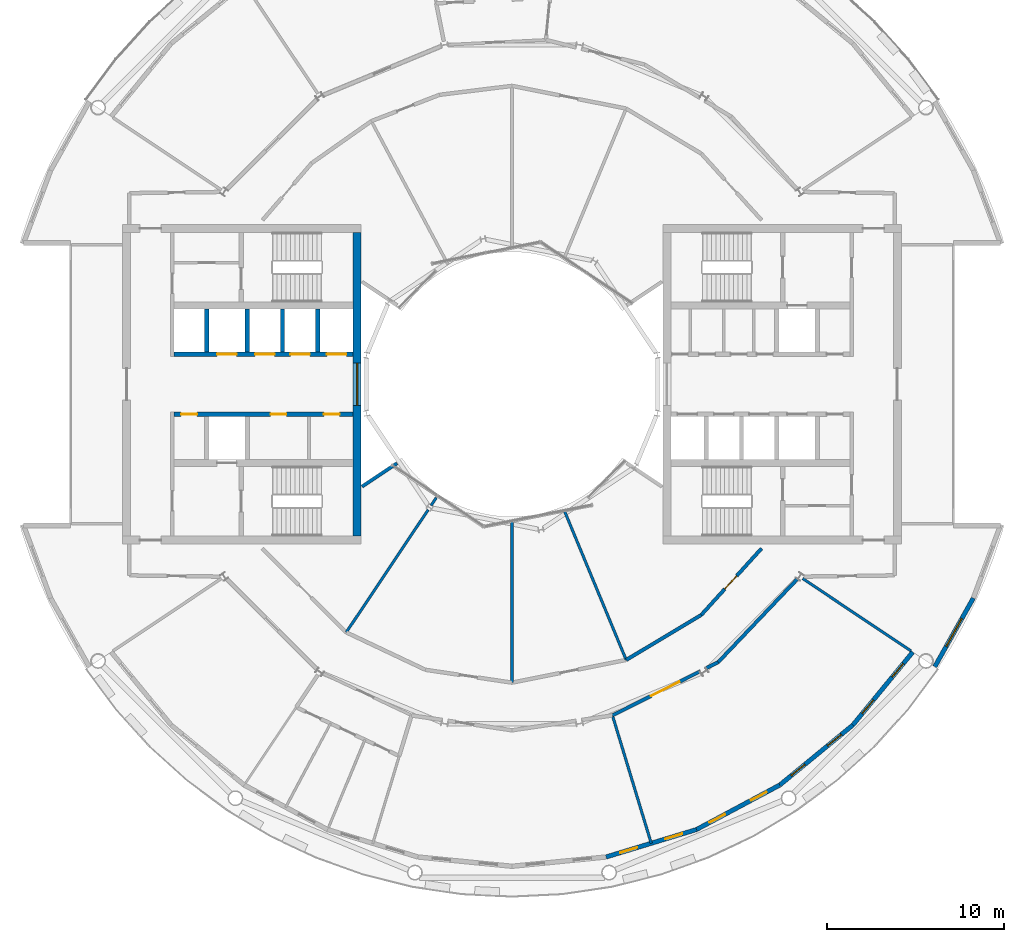
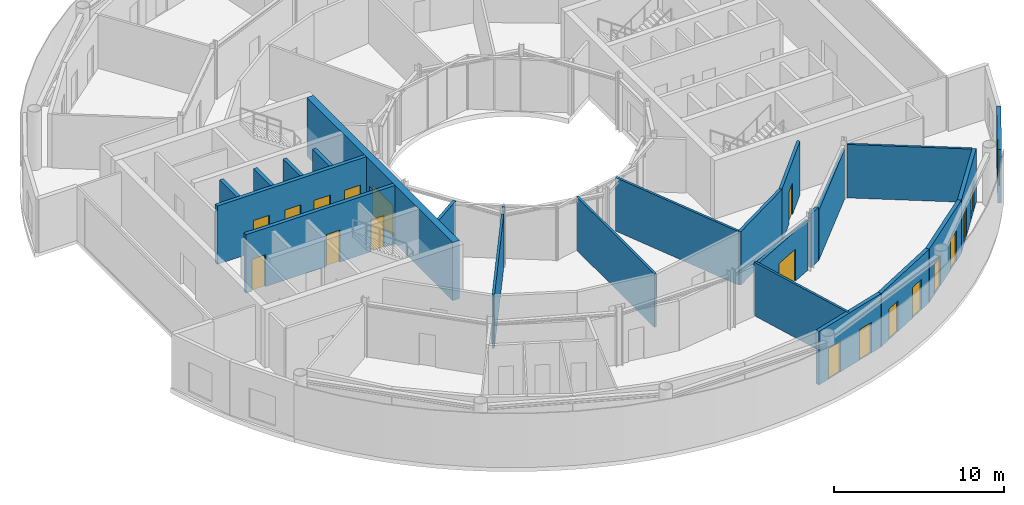
# One storey, part 15 of 22: 24 walls, 17 doors, 2 windows, 19 openings.
"""IFC4 building model written with IfcOpenShell, lengths in metres."""

from ifc_helpers import new_model, si_unit, direction, frame, frame_2d, origin, place, context, subcontext, project, spatial, rectangle, extrude, material, layer, layer_set, type_object, element, fill, save


model = new_model("IFC4")

# Units and contexts
model_context = context("Model", 3, precision=1e-05, world=origin(), true_north=direction((0.0, 1.0)))
body_context = subcontext(model_context, "Body", "Model", "MODEL_VIEW")
ifc_project = project(units=[si_unit("LENGTHUNIT", "METRE"), si_unit("AREAUNIT", "SQUARE_METRE"), si_unit("VOLUMEUNIT", "CUBIC_METRE"), si_unit("PLANEANGLEUNIT", "RADIAN"), si_unit("MASSUNIT", "GRAM", prefix="KILO")], contexts=[model_context])

# Site, building, storey
site_placement = place(None, origin())
site = spatial("IfcSite", under=ifc_project, at=site_placement, CompositionType="ELEMENT")
building_placement = place(site_placement, origin())
building = spatial("IfcBuilding", under=site, at=building_placement, Name="Maasbend Ring Residences", CompositionType="ELEMENT")
storey_placement = place(building_placement, frame((0.0, 0.0, 208.5)))
storey = spatial("IfcBuildingStorey", under=building, at=storey_placement, Name="L60", CompositionType="ELEMENT", Elevation=208.5)

# Wall, openings, doors
ifc_material_1 = material(Name="Concrete C50/60", Category="concrete")
ifc_layer_1 = layer(ifc_material_1, 0.25)
ifc_layer_set_1 = layer_set([ifc_layer_1], Name="Concrete C50/60")
wall_type_1 = type_object("IfcWallType", Name="CORE WALL 250 C50/60", PredefinedType="SHEAR", material=ifc_layer_set_1)
wall_1_placement = place(storey_placement, frame((-9.0, -1.699951171875, 0.0), z_axis=(0.0, 0.0, 1.0), x_axis=(-1.0, 0.0, 0.0)))
wall_1 = element("IfcWall", 1, at=wall_1_placement, inside=storey, type_object=wall_type_1, Name="L60 core W wall SPN", PredefinedType="SHEAR", context=body_context, shape_type="SweptSolid", body=[
    extrude(rectangle(XDim=10.14990234375, YDim=0.25, at=frame_2d((5.074951171875, 0.0))), origin(), (0.0, 0.0, 1.0), 4.199951171875),
])
opening_1_placement = place(wall_1_placement, frame((0.762451171875, 0.0, 0.0)))
opening_1 = element("IfcOpeningElement", 2, at=opening_1_placement, cuts=wall_1, Name="Opening D-W6006", PredefinedType="OPENING", context=body_context, shape_type="SweptSolid", body=[
    extrude(rectangle(XDim=0.89990234375, YDim=2.300048828125, at=frame_2d((0.449951171875, 1.14990234375))), frame((0.0, 0.135009765625, 0.0), z_axis=(0.0, -1.0, 0.0), x_axis=(1.0, 0.0, 0.0)), (0.0, 0.0, 1.0), 0.27001953125),
])
opening_2_placement = place(wall_1_placement, frame((3.77490234375, 0.0, 0.0)))
opening_2 = element("IfcOpeningElement", 3, at=opening_2_placement, cuts=wall_1, Name="Opening D-W6007", PredefinedType="OPENING", context=body_context, shape_type="SweptSolid", body=[
    extrude(rectangle(XDim=0.89990234375, YDim=2.300048828125, at=frame_2d((0.449951171875, 1.14990234375))), frame((0.0, 0.135009765625, 0.0), z_axis=(0.0, -1.0, 0.0), x_axis=(1.0, 0.0, 0.0)), (0.0, 0.0, 1.0), 0.27001953125),
])
opening_3_placement = place(wall_1_placement, frame((8.83740234375, 0.0, 0.0)))
opening_3 = element("IfcOpeningElement", 4, at=opening_3_placement, cuts=wall_1, Name="Opening D-W6008", PredefinedType="OPENING", context=body_context, shape_type="SweptSolid", body=[
    extrude(rectangle(XDim=0.89990234375, YDim=2.300048828125, at=frame_2d((0.449951171875, 1.14990234375))), frame((0.0, 0.135009765625, 0.0), z_axis=(0.0, -1.0, 0.0), x_axis=(1.0, 0.0, 0.0)), (0.0, 0.0, 1.0), 0.27001953125),
])
ifc_material_2 = material(Name="Steel, powder coated", Category="steel")
door_type_1 = type_object("IfcDoorType", Name="ROOM DOOR 900 X 2300 FD30S", OperationType="NOTDEFINED", PredefinedType="DOOR", material=ifc_material_2)
door_1_placement = place(opening_1_placement, origin())
door_1 = element("IfcDoor", 5, at=door_1_placement, inside=storey, type_object=door_type_1, Name="Room door L60", OperationType="SINGLE_SWING_RIGHT", OverallHeight=2.300048828125, OverallWidth=0.89990234375, PredefinedType="DOOR", context=body_context, shape_type="SweptSolid", body=[
    extrude(rectangle(XDim=0.89990234375, YDim=2.300048828125, at=frame_2d((0.449951171875, 1.14990234375))), frame((0.0, 0.02490234375, 0.0), z_axis=(0.0, -1.0, 0.0), x_axis=(1.0, 0.0, 0.0)), (0.0, 0.0, 1.0), 0.050048828125),
])
fill(opening_1, door_1)
door_2_placement = place(opening_2_placement, origin())
door_2 = element("IfcDoor", 6, at=door_2_placement, inside=storey, type_object=door_type_1, Name="Room door L60", OperationType="SINGLE_SWING_RIGHT", OverallHeight=2.300048828125, OverallWidth=0.89990234375, PredefinedType="DOOR", context=body_context, shape_type="SweptSolid", body=[
    extrude(rectangle(XDim=0.89990234375, YDim=2.300048828125, at=frame_2d((0.449951171875, 1.14990234375))), frame((0.0, 0.02490234375, 0.0), z_axis=(0.0, -1.0, 0.0), x_axis=(1.0, 0.0, 0.0)), (0.0, 0.0, 1.0), 0.050048828125),
])
fill(opening_2, door_2)
door_3_placement = place(opening_3_placement, origin())
door_3 = element("IfcDoor", 7, at=door_3_placement, inside=storey, type_object=door_type_1, Name="Room door L60", OperationType="SINGLE_SWING_LEFT", OverallHeight=2.300048828125, OverallWidth=0.89990234375, PredefinedType="DOOR", context=body_context, shape_type="SweptSolid", body=[
    extrude(rectangle(XDim=0.89990234375, YDim=2.300048828125, at=frame_2d((0.449951171875, 1.14990234375))), frame((0.0, 0.02490234375, 0.0), z_axis=(0.0, -1.0, 0.0), x_axis=(1.0, 0.0, 0.0)), (0.0, 0.0, 1.0), 0.050048828125),
])
fill(opening_3, door_3)

wall_2_placement = place(storey_placement, frame((-9.0, 1.699951171875, 0.0), z_axis=(0.0, 0.0, 1.0), x_axis=(-1.0, 0.0, 0.0)))
wall_2 = element("IfcWall", 8, at=wall_2_placement, inside=storey, type_object=wall_type_1, Name="L60 core W wall SPS", PredefinedType="SHEAR", context=body_context, shape_type="SweptSolid", body=[
    extrude(rectangle(XDim=10.14990234375, YDim=0.25, at=frame_2d((5.074951171875, 0.0))), origin(), (0.0, 0.0, 1.0), 4.199951171875),
])
opening_4_placement = place(wall_2_placement, frame((0.387451171875, 0.0, 0.0)))
opening_4 = element("IfcOpeningElement", 9, at=opening_4_placement, cuts=wall_2, Name="Opening LD-W6002", PredefinedType="OPENING", context=body_context, shape_type="SweptSolid", body=[
    extrude(rectangle(XDim=1.10009765625, YDim=2.300048828125, at=frame_2d((0.550048828125, 1.14990234375))), frame((0.0, 0.135009765625, 0.0), z_axis=(0.0, -1.0, 0.0), x_axis=(1.0, 0.0, 0.0)), (0.0, 0.0, 1.0), 0.27001953125),
])
opening_5_placement = place(wall_2_placement, frame((2.449951171875, 0.0, 0.0)))
opening_5 = element("IfcOpeningElement", 10, at=opening_5_placement, cuts=wall_2, Name="Opening LD-W6003", PredefinedType="OPENING", context=body_context, shape_type="SweptSolid", body=[
    extrude(rectangle(XDim=1.10009765625, YDim=2.300048828125, at=frame_2d((0.550048828125, 1.14990234375))), frame((0.0, 0.135009765625, 0.0), z_axis=(0.0, -1.0, 0.0), x_axis=(1.0, 0.0, 0.0)), (0.0, 0.0, 1.0), 0.27001953125),
])
opening_6_placement = place(wall_2_placement, frame((4.449951171875, 0.0, 0.0)))
opening_6 = element("IfcOpeningElement", 11, at=opening_6_placement, cuts=wall_2, Name="Opening LD-W6004", PredefinedType="OPENING", context=body_context, shape_type="SweptSolid", body=[
    extrude(rectangle(XDim=1.10009765625, YDim=2.300048828125, at=frame_2d((0.550048828125, 1.14990234375))), frame((0.0, 0.135009765625, 0.0), z_axis=(0.0, -1.0, 0.0), x_axis=(1.0, 0.0, 0.0)), (0.0, 0.0, 1.0), 0.27001953125),
])
opening_7_placement = place(wall_2_placement, frame((6.60009765625, 0.0, 0.0)))
opening_7 = element("IfcOpeningElement", 12, at=opening_7_placement, cuts=wall_2, Name="Opening LD-W6005", PredefinedType="OPENING", context=body_context, shape_type="SweptSolid", body=[
    extrude(rectangle(XDim=1.10009765625, YDim=2.300048828125, at=frame_2d((0.550048828125, 1.14990234375))), frame((0.0, 0.135009765625, 0.0), z_axis=(0.0, -1.0, 0.0), x_axis=(1.0, 0.0, 0.0)), (0.0, 0.0, 1.0), 0.27001953125),
])
ifc_material_3 = material(Name="Stainless steel 316", Category="steel")
door_type_2 = type_object("IfcDoorType", Name="LANDING DOOR 1100 X 2300 FD60", OperationType="DOUBLE_DOOR_SLIDING", PredefinedType="DOOR", material=ifc_material_3)
door_4_placement = place(opening_4_placement, origin())
door_4 = element("IfcDoor", 13, at=door_4_placement, inside=storey, type_object=door_type_2, Name="Landing door HR-W1 L60", OperationType="DOUBLE_DOOR_SLIDING", OverallHeight=2.300048828125, OverallWidth=1.10009765625, PredefinedType="DOOR", context=body_context, shape_type="SweptSolid", body=[
    extrude(rectangle(XDim=1.10009765625, YDim=2.300048828125, at=frame_2d((0.550048828125, 1.14990234375))), frame((0.0, 0.02490234375, 0.0), z_axis=(0.0, -1.0, 0.0), x_axis=(1.0, 0.0, 0.0)), (0.0, 0.0, 1.0), 0.050048828125),
])
fill(opening_4, door_4)
door_5_placement = place(opening_5_placement, origin())
door_5 = element("IfcDoor", 14, at=door_5_placement, inside=storey, type_object=door_type_2, Name="Landing door HR-W2 L60", OperationType="DOUBLE_DOOR_SLIDING", OverallHeight=2.300048828125, OverallWidth=1.10009765625, PredefinedType="DOOR", context=body_context, shape_type="SweptSolid", body=[
    extrude(rectangle(XDim=1.10009765625, YDim=2.300048828125, at=frame_2d((0.550048828125, 1.14990234375))), frame((0.0, 0.02490234375, 0.0), z_axis=(0.0, -1.0, 0.0), x_axis=(1.0, 0.0, 0.0)), (0.0, 0.0, 1.0), 0.050048828125),
])
fill(opening_5, door_5)
door_6_placement = place(opening_6_placement, origin())
door_6 = element("IfcDoor", 15, at=door_6_placement, inside=storey, type_object=door_type_2, Name="Landing door HR-W3 L60", OperationType="DOUBLE_DOOR_SLIDING", OverallHeight=2.300048828125, OverallWidth=1.10009765625, PredefinedType="DOOR", context=body_context, shape_type="SweptSolid", body=[
    extrude(rectangle(XDim=1.10009765625, YDim=2.300048828125, at=frame_2d((0.550048828125, 1.14990234375))), frame((0.0, 0.02490234375, 0.0), z_axis=(0.0, -1.0, 0.0), x_axis=(1.0, 0.0, 0.0)), (0.0, 0.0, 1.0), 0.050048828125),
])
fill(opening_6, door_6)
door_7_placement = place(opening_7_placement, origin())
door_7 = element("IfcDoor", 16, at=door_7_placement, inside=storey, type_object=door_type_2, Name="Landing door SV-W L60", OperationType="DOUBLE_DOOR_SLIDING", OverallHeight=2.300048828125, OverallWidth=1.10009765625, PredefinedType="DOOR", context=body_context, shape_type="SweptSolid", body=[
    extrude(rectangle(XDim=1.10009765625, YDim=2.300048828125, at=frame_2d((0.550048828125, 1.14990234375))), frame((0.0, 0.02490234375, 0.0), z_axis=(0.0, -1.0, 0.0), x_axis=(1.0, 0.0, 0.0)), (0.0, 0.0, 1.0), 0.050048828125),
])
fill(opening_7, door_7)

# Wall, opening, window
ifc_material_4 = material(Name="Concrete C50/60", Category="concrete")
ifc_layer_2 = layer(ifc_material_4, 0.449951171875)
ifc_layer_set_2 = layer_set([ifc_layer_2], Name="Concrete C50/60")
wall_type_2 = type_object("IfcWallType", Name="CORE WALL 450 C50/60", PredefinedType="SHEAR", material=ifc_layer_set_2)
wall_3_placement = place(storey_placement, frame((-8.77490234375, 8.60009765625, 0.0), z_axis=(0.0, 0.0, 1.0), x_axis=(0.0, -1.0, 0.0)))
wall_3 = element("IfcWall", 17, at=wall_3_placement, inside=storey, type_object=wall_type_2, Name="L60 core W wall PIN", PredefinedType="SHEAR", context=body_context, shape_type="SweptSolid", body=[
    extrude(rectangle(XDim=17.2001953125, YDim=0.449951171875, at=frame_2d((8.60009765625, 0.0))), origin(), (0.0, 0.0, 1.0), 4.199951171875),
])
opening_8_placement = place(wall_3_placement, frame((7.39990234375, 0.0, 0.10009765625)))
opening_8 = element("IfcOpeningElement", 18, at=opening_8_placement, cuts=wall_3, Name="Opening W-W6001", PredefinedType="OPENING", context=body_context, shape_type="SweptSolid", body=[
    extrude(rectangle(XDim=2.39990234375, YDim=2.199951171875, at=frame_2d((1.199951171875, 1.10009765625))), frame((0.0, 0.23486328125, 0.0), z_axis=(0.0, -1.0, 0.0), x_axis=(1.0, 0.0, 0.0)), (0.0, 0.0, 1.0), 0.469970703125),
])
ifc_material_5 = material(Name="Aluminium frame and clear glass", Category="aluminium")
window_type_1 = type_object("IfcWindowType", Name="FIXED WINDOW 2400 X 2200", PartitioningType="SINGLE_PANEL", PredefinedType="WINDOW", material=ifc_material_5)
window_1_placement = place(opening_8_placement, origin())
window_1 = element("IfcWindow", 19, at=window_1_placement, inside=storey, type_object=window_type_1, Name="Lobby window L60", OverallHeight=2.199951171875, OverallWidth=2.39990234375, PartitioningType="SINGLE_PANEL", PredefinedType="WINDOW", context=body_context, shape_type="SweptSolid", body=[
    extrude(rectangle(XDim=2.39990234375, YDim=2.199951171875, at=frame_2d((1.199951171875, 1.10009765625))), frame((0.0, 0.030029296875, 0.0), z_axis=(0.0, -1.0, 0.0), x_axis=(1.0, 0.0, 0.0)), (0.0, 0.0, 1.0), 0.06005859375),
])
fill(opening_8, window_1)

# Wall, opening, door
ifc_material_6 = material(Name="Concrete C30/37", Category="concrete")
ifc_layer_3 = layer(ifc_material_6, 0.199951171875)
ifc_layer_set_3 = layer_set([ifc_layer_3], Name="Concrete C30/37")
wall_type_3 = type_object("IfcWallType", Name="CORRIDOR WALL 200 CONCRETE", PredefinedType="PARTITIONING", material=ifc_layer_set_3)
wall_4_placement = place(storey_placement, frame((5.68994140625, -18.756103515625, 0.0), z_axis=(0.0, 0.0, 1.0), x_axis=(0.893242938285, 0.449574302206, 0.0)))
wall_4 = element("IfcWall", 20, at=wall_4_placement, inside=storey, type_object=wall_type_3, Name="U-L60-w009", PredefinedType="PARTITIONING", context=body_context, shape_type="SweptSolid", body=[
    extrude(rectangle(XDim=5.580810546875, YDim=0.199951171875, at=frame_2d((2.79052734375, 0.0))), origin(), (0.0, 0.0, 1.0), 3.60009765625),
])
opening_9_placement = place(wall_4_placement, frame((2.450927734375, 0.0, 0.0)))
opening_9 = element("IfcOpeningElement", 21, at=opening_9_placement, cuts=wall_4, Name="Opening D-6018", PredefinedType="OPENING", context=body_context, shape_type="SweptSolid", body=[
    extrude(rectangle(XDim=1.800048828125, YDim=2.300048828125, at=frame_2d((0.89990234375, 1.14990234375))), frame((0.0, 0.10986328125, 0.0), z_axis=(0.0, -1.0, 0.0), x_axis=(1.0, 0.0, 0.0)), (0.0, 0.0, 1.0), 0.219970703125),
])
ifc_material_7 = material(Name="Timber, painted", Category="wood")
door_type_3 = type_object("IfcDoorType", Name="DOUBLE DOOR 1800 X 2300", OperationType="NOTDEFINED", PredefinedType="DOOR", material=ifc_material_7)
door_8_placement = place(opening_9_placement, origin())
door_8 = element("IfcDoor", 22, at=door_8_placement, inside=storey, type_object=door_type_3, Name="D-6018", OperationType="DOUBLE_DOOR_SINGLE_SWING", OverallHeight=2.300048828125, OverallWidth=1.800048828125, PredefinedType="DOOR", context=body_context, shape_type="SweptSolid", body=[
    extrude(rectangle(XDim=1.800048828125, YDim=2.300048828125, at=frame_2d((0.89990234375, 1.14990234375))), frame((0.0, 0.02490234375, 0.0), z_axis=(0.0, -1.0, 0.0), x_axis=(1.0, 0.0, 0.0)), (0.0, 0.0, 1.0), 0.050048828125),
])
fill(opening_9, door_8)

# Walls
wall_5_placement = place(storey_placement, frame((10.945068359375, -16.111083984375, 0.0), z_axis=(0.0, 0.0, 1.0), x_axis=(0.893110817984, 0.449836711263, 0.0)))
element("IfcWall", 23, at=wall_5_placement, inside=storey, type_object=wall_type_3, Name="U-L60-w010", PredefinedType="PARTITIONING", context=body_context, shape_type="SweptSolid", body=[
    extrude(rectangle(XDim=0.818359375, YDim=0.199951171875, at=frame_2d((0.4091796875, 0.0))), origin(), (0.0, 0.0, 1.0), 3.85009765625),
])
wall_6_placement = place(storey_placement, frame((11.676025390625, -15.742919921875, 0.0), z_axis=(0.0, 0.0, 1.0), x_axis=(0.689484820725, 0.724300132535, 0.0)))
element("IfcWall", 24, at=wall_6_placement, inside=storey, type_object=wall_type_3, Name="U-L60-w011", PredefinedType="PARTITIONING", context=body_context, shape_type="SweptSolid", body=[
    extrude(rectangle(XDim=6.549560546875, YDim=0.199951171875, at=frame_2d((3.27490234375, 0.0))), origin(), (0.0, 0.0, 1.0), 3.60009765625),
])
wall_7_placement = place(storey_placement, frame((6.467041015625, -15.614013671875, 0.0), z_axis=(0.0, 0.0, 1.0), x_axis=(0.857696997328, 0.514155483074, 0.0)))
element("IfcWall", 25, at=wall_7_placement, inside=storey, type_object=wall_type_3, Name="U-L60-w015", PredefinedType="PARTITIONING", context=body_context, shape_type="SweptSolid", body=[
    extrude(rectangle(XDim=4.959716796875, YDim=0.199951171875, at=frame_2d((2.47998046875, 0.0))), origin(), (0.0, 0.0, 1.0), 3.85009765625),
])

# Wall, opening, door
wall_8_placement = place(storey_placement, frame((10.720947265625, -13.06396484375, 0.0), z_axis=(0.0, 0.0, 1.0), x_axis=(0.671634030197, 0.740883074095, 0.0)))
wall_8 = element("IfcWall", 26, at=wall_8_placement, inside=storey, type_object=wall_type_3, Name="U-L60-w016", PredefinedType="PARTITIONING", context=body_context, shape_type="SweptSolid", body=[
    extrude(rectangle(XDim=5.080322265625, YDim=0.199951171875, at=frame_2d((2.5400390625, 0.0))), origin(), (0.0, 0.0, 1.0), 3.85009765625),
])
opening_10_placement = place(wall_8_placement, frame((1.97998046875, 0.0, 0.0)))
opening_10 = element("IfcOpeningElement", 27, at=opening_10_placement, cuts=wall_8, Name="Opening D-6022", PredefinedType="OPENING", context=body_context, shape_type="SweptSolid", body=[
    extrude(rectangle(XDim=1.0, YDim=2.300048828125, at=frame_2d((0.5, 1.14990234375))), frame((0.0, 0.10986328125, 0.0), z_axis=(0.0, -1.0, 0.0), x_axis=(1.0, 0.0, 0.0)), (0.0, 0.0, 1.0), 0.219970703125),
])
ifc_material_8 = material(Name="Timber, painted", Category="wood")
door_type_4 = type_object("IfcDoorType", Name="ROOM DOOR 1000 X 2300", OperationType="NOTDEFINED", PredefinedType="DOOR", material=ifc_material_8)
door_9_placement = place(opening_10_placement, origin())
door_9 = element("IfcDoor", 28, at=door_9_placement, inside=storey, type_object=door_type_4, Name="D-6022", OperationType="SINGLE_SWING_RIGHT", OverallHeight=2.300048828125, OverallWidth=1.0, PredefinedType="DOOR", context=body_context, shape_type="SweptSolid", body=[
    extrude(rectangle(XDim=1.0, YDim=2.300048828125, at=frame_2d((0.5, 1.14990234375))), frame((0.0, 0.02490234375, 0.0), z_axis=(0.0, -1.0, 0.0), x_axis=(1.0, 0.0, 0.0)), (0.0, 0.0, 1.0), 0.050048828125),
])
fill(opening_10, door_9)

# Wall, openings, doors
ifc_material_9 = material(Name="Aluminium clad insulated panel", Category="aluminium")
ifc_layer_4 = layer(ifc_material_9, 0.25)
ifc_layer_set_4 = layer_set([ifc_layer_4], Name="EW-GL")
wall_type_4 = type_object("IfcWallType", Name="EW-GL", PredefinedType="SOLIDWALL", material=ifc_layer_set_4)
wall_9_placement = place(storey_placement, frame((5.325927734375, -26.77490234375, 0.0), z_axis=(0.0, 0.0, 1.0), x_axis=(0.956965678721, 0.290201119486, 0.0)))
wall_9 = element("IfcWall", 29, at=wall_9_placement, inside=storey, type_object=wall_type_4, Name="External wall S07", PredefinedType="SOLIDWALL", context=body_context, shape_type="SweptSolid", body=[
    extrude(rectangle(XDim=5.351318359375, YDim=0.25, at=frame_2d((2.67578125, 0.0))), origin(), (0.0, 0.0, 1.0), 3.85009765625),
])
opening_11_placement = place(wall_9_placement, frame((0.841064453125, 0.0, 0.0)))
opening_11 = element("IfcOpeningElement", 30, at=opening_11_placement, cuts=wall_9, Name="Opening D-LG", PredefinedType="OPENING", context=body_context, shape_type="SweptSolid", body=[
    extrude(rectangle(XDim=1.0, YDim=2.199951171875, at=frame_2d((0.5, 1.10009765625))), frame((0.0, 0.135009765625, 0.0), z_axis=(0.0, -1.0, 0.0), x_axis=(1.0, 0.0, 0.0)), (0.0, 0.0, 1.0), 0.27001953125),
])
opening_12_placement = place(wall_9_placement, frame((3.510498046875, 0.0, 0.0)))
opening_12 = element("IfcOpeningElement", 31, at=opening_12_placement, cuts=wall_9, Name="Opening D-LG", PredefinedType="OPENING", context=body_context, shape_type="SweptSolid", body=[
    extrude(rectangle(XDim=1.0, YDim=2.199951171875, at=frame_2d((0.5, 1.10009765625))), frame((0.0, 0.135009765625, 0.0), z_axis=(0.0, -1.0, 0.0), x_axis=(1.0, 0.0, 0.0)), (0.0, 0.0, 1.0), 0.27001953125),
])
ifc_material_10 = material(Name="Aluminium and clear glass", Category="aluminium")
door_type_5 = type_object("IfcDoorType", Name="D-LG", OperationType="SINGLE_SWING_LEFT", PredefinedType="DOOR", material=ifc_material_10)
door_10_placement = place(opening_11_placement, origin())
door_10 = element("IfcDoor", 32, at=door_10_placement, inside=storey, type_object=door_type_5, Name="Loggia door S13", OperationType="SINGLE_SWING_LEFT", OverallHeight=2.199951171875, OverallWidth=1.0, PredefinedType="DOOR", context=body_context, shape_type="SweptSolid", body=[
    extrude(rectangle(XDim=1.0, YDim=2.199951171875, at=frame_2d((0.5, 1.10009765625))), frame((0.0, 0.02490234375, 0.0), z_axis=(0.0, -1.0, 0.0), x_axis=(1.0, 0.0, 0.0)), (0.0, 0.0, 1.0), 0.050048828125),
])
fill(opening_11, door_10)
door_11_placement = place(opening_12_placement, origin())
door_11 = element("IfcDoor", 33, at=door_11_placement, inside=storey, type_object=door_type_5, Name="Loggia door S14", OperationType="SINGLE_SWING_LEFT", OverallHeight=2.199951171875, OverallWidth=1.0, PredefinedType="DOOR", context=body_context, shape_type="SweptSolid", body=[
    extrude(rectangle(XDim=1.0, YDim=2.199951171875, at=frame_2d((0.5, 1.10009765625))), frame((0.0, 0.02490234375, 0.0), z_axis=(0.0, -1.0, 0.0), x_axis=(1.0, 0.0, 0.0)), (0.0, 0.0, 1.0), 0.050048828125),
])
fill(opening_12, door_11)

wall_10_placement = place(storey_placement, frame((10.447021484375, -25.221923828125, 0.0), z_axis=(0.0, 0.0, 1.0), x_axis=(0.881915646801, 0.471407246368, 0.0)))
wall_10 = element("IfcWall", 34, at=wall_10_placement, inside=storey, type_object=wall_type_4, Name="External wall S08", PredefinedType="SOLIDWALL", context=body_context, shape_type="SweptSolid", body=[
    extrude(rectangle(XDim=5.35205078125, YDim=0.25, at=frame_2d((2.676025390625, 0.0))), origin(), (0.0, 0.0, 1.0), 3.85009765625),
])
opening_13_placement = place(wall_10_placement, frame((0.841064453125, 0.0, 0.0)))
opening_13 = element("IfcOpeningElement", 35, at=opening_13_placement, cuts=wall_10, Name="Opening D-LG", PredefinedType="OPENING", context=body_context, shape_type="SweptSolid", body=[
    extrude(rectangle(XDim=1.0, YDim=2.199951171875, at=frame_2d((0.5, 1.10009765625))), frame((0.0, 0.135009765625, 0.0), z_axis=(0.0, -1.0, 0.0), x_axis=(1.0, 0.0, 0.0)), (0.0, 0.0, 1.0), 0.27001953125),
])
opening_14_placement = place(wall_10_placement, frame((3.510498046875, 0.0, 0.0)))
opening_14 = element("IfcOpeningElement", 36, at=opening_14_placement, cuts=wall_10, Name="Opening D-LG", PredefinedType="OPENING", context=body_context, shape_type="SweptSolid", body=[
    extrude(rectangle(XDim=1.0, YDim=2.199951171875, at=frame_2d((0.5, 1.10009765625))), frame((0.0, 0.135009765625, 0.0), z_axis=(0.0, -1.0, 0.0), x_axis=(1.0, 0.0, 0.0)), (0.0, 0.0, 1.0), 0.27001953125),
])
door_12_placement = place(opening_13_placement, origin())
door_12 = element("IfcDoor", 37, at=door_12_placement, inside=storey, type_object=door_type_5, Name="Loggia door S15", OperationType="SINGLE_SWING_LEFT", OverallHeight=2.199951171875, OverallWidth=1.0, PredefinedType="DOOR", context=body_context, shape_type="SweptSolid", body=[
    extrude(rectangle(XDim=1.0, YDim=2.199951171875, at=frame_2d((0.5, 1.10009765625))), frame((0.0, 0.02490234375, 0.0), z_axis=(0.0, -1.0, 0.0), x_axis=(1.0, 0.0, 0.0)), (0.0, 0.0, 1.0), 0.050048828125),
])
fill(opening_13, door_12)
door_13_placement = place(opening_14_placement, origin())
door_13 = element("IfcDoor", 38, at=door_13_placement, inside=storey, type_object=door_type_5, Name="Loggia door S16", OperationType="SINGLE_SWING_LEFT", OverallHeight=2.199951171875, OverallWidth=1.0, PredefinedType="DOOR", context=body_context, shape_type="SweptSolid", body=[
    extrude(rectangle(XDim=1.0, YDim=2.199951171875, at=frame_2d((0.5, 1.10009765625))), frame((0.0, 0.02490234375, 0.0), z_axis=(0.0, -1.0, 0.0), x_axis=(1.0, 0.0, 0.0)), (0.0, 0.0, 1.0), 0.050048828125),
])
fill(opening_14, door_13)

wall_11_placement = place(storey_placement, frame((15.1669921875, -22.698974609375, 0.0), z_axis=(0.0, 0.0, 1.0), x_axis=(0.773019449054, 0.634382322723, 0.0)))
wall_11 = element("IfcWall", 39, at=wall_11_placement, inside=storey, type_object=wall_type_4, Name="External wall S09", PredefinedType="SOLIDWALL", context=body_context, shape_type="SweptSolid", body=[
    extrude(rectangle(XDim=5.351806640625, YDim=0.25, at=frame_2d((2.67578125, 0.0))), origin(), (0.0, 0.0, 1.0), 3.85009765625),
])
opening_15_placement = place(wall_11_placement, frame((0.841064453125, 0.0, 0.0)))
opening_15 = element("IfcOpeningElement", 40, at=opening_15_placement, cuts=wall_11, Name="Opening D-LG", PredefinedType="OPENING", context=body_context, shape_type="SweptSolid", body=[
    extrude(rectangle(XDim=1.0, YDim=2.199951171875, at=frame_2d((0.5, 1.10009765625))), frame((0.0, 0.135009765625, 0.0), z_axis=(0.0, -1.0, 0.0), x_axis=(1.0, 0.0, 0.0)), (0.0, 0.0, 1.0), 0.27001953125),
])
opening_16_placement = place(wall_11_placement, frame((3.510498046875, 0.0, 0.0)))
opening_16 = element("IfcOpeningElement", 41, at=opening_16_placement, cuts=wall_11, Name="Opening D-LG", PredefinedType="OPENING", context=body_context, shape_type="SweptSolid", body=[
    extrude(rectangle(XDim=1.0, YDim=2.199951171875, at=frame_2d((0.5, 1.10009765625))), frame((0.0, 0.135009765625, 0.0), z_axis=(0.0, -1.0, 0.0), x_axis=(1.0, 0.0, 0.0)), (0.0, 0.0, 1.0), 0.27001953125),
])
door_14_placement = place(opening_15_placement, origin())
door_14 = element("IfcDoor", 42, at=door_14_placement, inside=storey, type_object=door_type_5, Name="Loggia door S17", OperationType="SINGLE_SWING_LEFT", OverallHeight=2.199951171875, OverallWidth=1.0, PredefinedType="DOOR", context=body_context, shape_type="SweptSolid", body=[
    extrude(rectangle(XDim=1.0, YDim=2.199951171875, at=frame_2d((0.5, 1.10009765625))), frame((0.0, 0.02490234375, 0.0), z_axis=(0.0, -1.0, 0.0), x_axis=(1.0, 0.0, 0.0)), (0.0, 0.0, 1.0), 0.050048828125),
])
fill(opening_15, door_14)
door_15_placement = place(opening_16_placement, origin())
door_15 = element("IfcDoor", 43, at=door_15_placement, inside=storey, type_object=door_type_5, Name="Loggia door S18", OperationType="SINGLE_SWING_LEFT", OverallHeight=2.199951171875, OverallWidth=1.0, PredefinedType="DOOR", context=body_context, shape_type="SweptSolid", body=[
    extrude(rectangle(XDim=1.0, YDim=2.199951171875, at=frame_2d((0.5, 1.10009765625))), frame((0.0, 0.02490234375, 0.0), z_axis=(0.0, -1.0, 0.0), x_axis=(1.0, 0.0, 0.0)), (0.0, 0.0, 1.0), 0.050048828125),
])
fill(opening_16, door_15)

wall_12_placement = place(storey_placement, frame((19.303955078125, -19.303955078125, 0.0), z_axis=(0.0, 0.0, 1.0), x_axis=(0.634382322723, 0.773019449054, 0.0)))
wall_12 = element("IfcWall", 44, at=wall_12_placement, inside=storey, type_object=wall_type_4, Name="External wall S10", PredefinedType="SOLIDWALL", context=body_context, shape_type="SweptSolid", body=[
    extrude(rectangle(XDim=5.351806640625, YDim=0.25, at=frame_2d((2.67578125, 0.0))), origin(), (0.0, 0.0, 1.0), 3.85009765625),
])
opening_17_placement = place(wall_12_placement, frame((0.841064453125, 0.0, 0.0)))
opening_17 = element("IfcOpeningElement", 45, at=opening_17_placement, cuts=wall_12, Name="Opening D-LG", PredefinedType="OPENING", context=body_context, shape_type="SweptSolid", body=[
    extrude(rectangle(XDim=1.0, YDim=2.199951171875, at=frame_2d((0.5, 1.10009765625))), frame((0.0, 0.135009765625, 0.0), z_axis=(0.0, -1.0, 0.0), x_axis=(1.0, 0.0, 0.0)), (0.0, 0.0, 1.0), 0.27001953125),
])
opening_18_placement = place(wall_12_placement, frame((3.510498046875, 0.0, 0.0)))
opening_18 = element("IfcOpeningElement", 46, at=opening_18_placement, cuts=wall_12, Name="Opening D-LG", PredefinedType="OPENING", context=body_context, shape_type="SweptSolid", body=[
    extrude(rectangle(XDim=1.0, YDim=2.199951171875, at=frame_2d((0.5, 1.10009765625))), frame((0.0, 0.135009765625, 0.0), z_axis=(0.0, -1.0, 0.0), x_axis=(1.0, 0.0, 0.0)), (0.0, 0.0, 1.0), 0.27001953125),
])
door_16_placement = place(opening_17_placement, origin())
door_16 = element("IfcDoor", 47, at=door_16_placement, inside=storey, type_object=door_type_5, Name="Loggia door S19", OperationType="SINGLE_SWING_LEFT", OverallHeight=2.199951171875, OverallWidth=1.0, PredefinedType="DOOR", context=body_context, shape_type="SweptSolid", body=[
    extrude(rectangle(XDim=1.0, YDim=2.199951171875, at=frame_2d((0.5, 1.10009765625))), frame((0.0, 0.02490234375, 0.0), z_axis=(0.0, -1.0, 0.0), x_axis=(1.0, 0.0, 0.0)), (0.0, 0.0, 1.0), 0.050048828125),
])
fill(opening_17, door_16)
door_17_placement = place(opening_18_placement, origin())
door_17 = element("IfcDoor", 48, at=door_17_placement, inside=storey, type_object=door_type_5, Name="Loggia door S20", OperationType="SINGLE_SWING_LEFT", OverallHeight=2.199951171875, OverallWidth=1.0, PredefinedType="DOOR", context=body_context, shape_type="SweptSolid", body=[
    extrude(rectangle(XDim=1.0, YDim=2.199951171875, at=frame_2d((0.5, 1.10009765625))), frame((0.0, 0.02490234375, 0.0), z_axis=(0.0, -1.0, 0.0), x_axis=(1.0, 0.0, 0.0)), (0.0, 0.0, 1.0), 0.050048828125),
])
fill(opening_18, door_17)

# Wall, opening, window
ifc_material_11 = material(Name="Aluminium clad insulated panel", Category="aluminium")
ifc_layer_5 = layer(ifc_material_11, 0.25)
ifc_layer_set_5 = layer_set([ifc_layer_5], Name="EW-HORN")
wall_type_5 = type_object("IfcWallType", Name="EW-HORN", PredefinedType="SOLIDWALL", material=ifc_layer_set_5)
wall_13_placement = place(storey_placement, frame((23.946044921875, -16.0, 0.0), z_axis=(0.0, 0.0, 1.0), x_axis=(0.489696356642, 0.871893042919, 0.0)))
wall_13 = element("IfcWall", 49, at=wall_13_placement, inside=storey, type_object=wall_type_5, Name="Horn wall 2.1", PredefinedType="SOLIDWALL", context=body_context, shape_type="SweptSolid", body=[
    extrude(rectangle(XDim=4.45361328125, YDim=0.25, at=frame_2d((2.226806640625, 0.0))), origin(), (0.0, 0.0, 1.0), 3.85009765625),
])
opening_19_placement = place(wall_13_placement, frame((1.32666015625, 0.0, 0.300048828125)))
opening_19 = element("IfcOpeningElement", 50, at=opening_19_placement, cuts=wall_13, Name="Opening W-BX", PredefinedType="OPENING", context=body_context, shape_type="SweptSolid", body=[
    extrude(rectangle(XDim=1.800048828125, YDim=2.10009765625, at=frame_2d((0.89990234375, 1.050048828125))), frame((0.0, 0.135009765625, 0.0), z_axis=(0.0, -1.0, 0.0), x_axis=(1.0, 0.0, 0.0)), (0.0, 0.0, 1.0), 0.27001953125),
])
ifc_material_12 = material(Name="Aluminium and clear glass", Category="aluminium")
window_type_2 = type_object("IfcWindowType", Name="W-BX", PartitioningType="DOUBLE_PANEL_VERTICAL", PredefinedType="WINDOW", material=ifc_material_12)
window_2_placement = place(opening_19_placement, origin())
window_2 = element("IfcWindow", 51, at=window_2_placement, inside=storey, type_object=window_type_2, Name="Horn window 2.1", OverallHeight=2.10009765625, OverallWidth=1.800048828125, PartitioningType="SINGLE_PANEL", PredefinedType="WINDOW", context=body_context, shape_type="SweptSolid", body=[
    extrude(rectangle(XDim=1.800048828125, YDim=2.10009765625, at=frame_2d((0.89990234375, 1.050048828125))), frame((0.0, 0.030029296875, 0.0), z_axis=(0.0, -1.0, 0.0), x_axis=(1.0, 0.0, 0.0)), (0.0, 0.0, 1.0), 0.06005859375),
])
fill(opening_19, window_2)

# Walls
ifc_material_13 = material(Name="Gypsum board on steel studs", Category="steel")
ifc_layer_6 = layer(ifc_material_13, 0.14990234375)
ifc_layer_set_6 = layer_set([ifc_layer_6], Name="PARTITION 150 GYPSUM")
wall_type_6 = type_object("IfcWallType", Name="PARTITION 150 GYPSUM", PredefinedType="PARTITIONING", material=ifc_layer_set_6)
wall_14_placement = place(storey_placement, frame((-9.388916015625, -14.052001953125, 0.0), z_axis=(0.0, 0.0, 1.0), x_axis=(0.555704560542, 0.831379841825, 0.0)))
element("IfcWall", 52, at=wall_14_placement, inside=storey, type_object=wall_type_6, Name="U-L60-w030", PredefinedType="PARTITIONING", context=body_context, shape_type="SweptSolid", body=[
    extrude(rectangle(XDim=8.354736328125, YDim=0.14990234375, at=frame_2d((4.17724609375, 0.0))), origin(), (0.0, 0.0, 1.0), 3.85009765625),
])
wall_15_placement = place(storey_placement, frame((-4.5849609375, -6.864013671875, 0.0), z_axis=(0.0, 0.0, 1.0), x_axis=(0.555754446524, 0.831346495253, 0.0)))
element("IfcWall", 53, at=wall_15_placement, inside=storey, type_object=wall_type_6, Name="U-L60-w033", PredefinedType="PARTITIONING", context=body_context, shape_type="SweptSolid", body=[
    extrude(rectangle(XDim=0.5341796875, YDim=0.14990234375, at=frame_2d((0.26708984375, 0.0))), origin(), (0.0, 0.0, 1.0), 3.85009765625),
])
wall_16_placement = place(storey_placement, frame((0.0, -16.89990234375, 0.0), z_axis=(0.0, 0.0, 1.0), x_axis=(0.0, 1.0, 0.0)))
element("IfcWall", 54, at=wall_16_placement, inside=storey, type_object=wall_type_6, Name="U-L60-w035", PredefinedType="PARTITIONING", context=body_context, shape_type="SweptSolid", body=[
    extrude(rectangle(XDim=9.179931640625, YDim=0.14990234375, at=frame_2d((4.58984375, 0.0))), origin(), (0.0, 0.0, 1.0), 3.85009765625),
])
wall_17_placement = place(storey_placement, frame((2.9541015625, -7.132080078125, 0.0), z_axis=(0.0, 0.0, 1.0), x_axis=(0.382646942224, -0.923894646378, 0.0)))
element("IfcWall", 55, at=wall_17_placement, inside=storey, type_object=wall_type_6, Name="U-L60-w039", PredefinedType="PARTITIONING", context=body_context, shape_type="SweptSolid", body=[
    extrude(rectangle(XDim=9.1806640625, YDim=0.14990234375, at=frame_2d((4.59033203125, 0.0))), origin(), (0.0, 0.0, 1.0), 3.85009765625),
])
wall_18_placement = place(storey_placement, frame((5.68994140625, -18.756103515625, 0.0), z_axis=(0.0, 0.0, 1.0), x_axis=(0.29017646164, -0.956973155898, 0.0)))
element("IfcWall", 56, at=wall_18_placement, inside=storey, type_object=wall_type_6, Name="U-L60-w041", PredefinedType="PARTITIONING", context=body_context, shape_type="SweptSolid", body=[
    extrude(rectangle(XDim=7.57470703125, YDim=0.14990234375, at=frame_2d((3.787353515625, 0.0))), origin(), (0.0, 0.0, 1.0), 3.85009765625),
])
wall_19_placement = place(storey_placement, frame((16.4609375, -11.0029296875, 0.0), z_axis=(0.0, 0.0, 1.0), x_axis=(0.831418274402, -0.555647057933, 0.0)))
element("IfcWall", 57, at=wall_19_placement, inside=storey, type_object=wall_type_6, Name="U-L60-w042", PredefinedType="PARTITIONING", context=body_context, shape_type="SweptSolid", body=[
    extrude(rectangle(XDim=7.37548828125, YDim=0.14990234375, at=frame_2d((3.687744140625, 0.0))), origin(), (0.0, 0.0, 1.0), 3.85009765625),
])
ifc_material_14 = material(Name="Concrete C30/37", Category="concrete")
ifc_layer_7 = layer(ifc_material_14, 0.199951171875)
ifc_layer_set_7 = layer_set([ifc_layer_7], Name="Concrete C30/37")
wall_type_7 = type_object("IfcWallType", Name="PARTY WALL 200 CONCRETE", PredefinedType="PARTITIONING", material=ifc_layer_set_7)
wall_20_placement = place(storey_placement, frame((-6.512939453125, -4.471923828125, 0.0), z_axis=(0.0, 0.0, 1.0), x_axis=(-0.831403409976, -0.555669299026, 0.0)))
element("IfcWall", 58, at=wall_20_placement, inside=storey, type_object=wall_type_7, Name="U-L60-w021", PredefinedType="PARTITIONING", context=body_context, shape_type="SweptSolid", body=[
    extrude(rectangle(XDim=2.382568359375, YDim=0.199951171875, at=frame_2d((1.19140625, 0.0))), origin(), (0.0, 0.0, 1.0), 3.85009765625),
])
ifc_material_15 = material(Name="Concrete C30/37", Category="concrete")
ifc_layer_8 = layer(ifc_material_15, 0.25)
ifc_layer_set_8 = layer_set([ifc_layer_8], Name="Concrete C30/37")
wall_type_8 = type_object("IfcWallType", Name="SHAFT WALL 250 EI 120", PredefinedType="SOLIDWALL", material=ifc_layer_set_8)
for number, where, z_axis, x_axis, name in (
    (59, (-15.0, 1.824951171875, 0.0), (0.0, 0.0, 1.0), (0.0, 1.0, 0.0), "L60 core W wall D150S"),
    (60, (-17.300048828125, 1.824951171875, 0.0), (0.0, 0.0, 1.0), (0.0, 1.0, 0.0), "L60 core W wall D173S"),
    (61, (-11.0, 1.824951171875, 0.0), (0.0, 0.0, 1.0), (0.0, 1.0, 0.0), "L60 core W wall D110S"),
    (62, (-13.0, 1.824951171875, 0.0), (0.0, 0.0, 1.0), (0.0, 1.0, 0.0), "L60 core W wall D130S"),
):
    element("IfcWall", number, at=place(storey_placement, frame(where, z_axis=z_axis, x_axis=x_axis)), inside=storey, type_object=wall_type_8, Name=name, PredefinedType="SOLIDWALL", context=body_context, shape_type="SweptSolid", body=[
        extrude(rectangle(XDim=2.449951171875, YDim=0.25, at=frame_2d((1.22509765625, 0.0))), origin(), (0.0, 0.0, 1.0), 3.85009765625),
    ])

save(model, "model.ifc")
